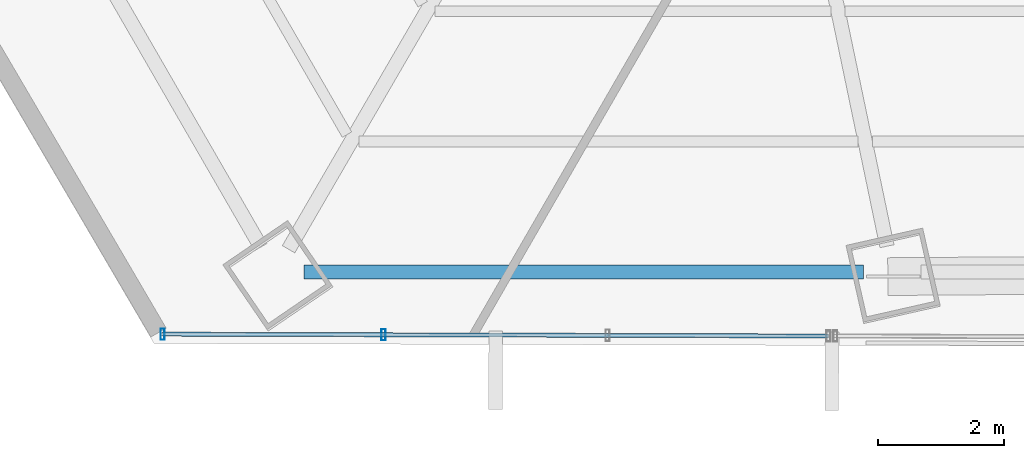
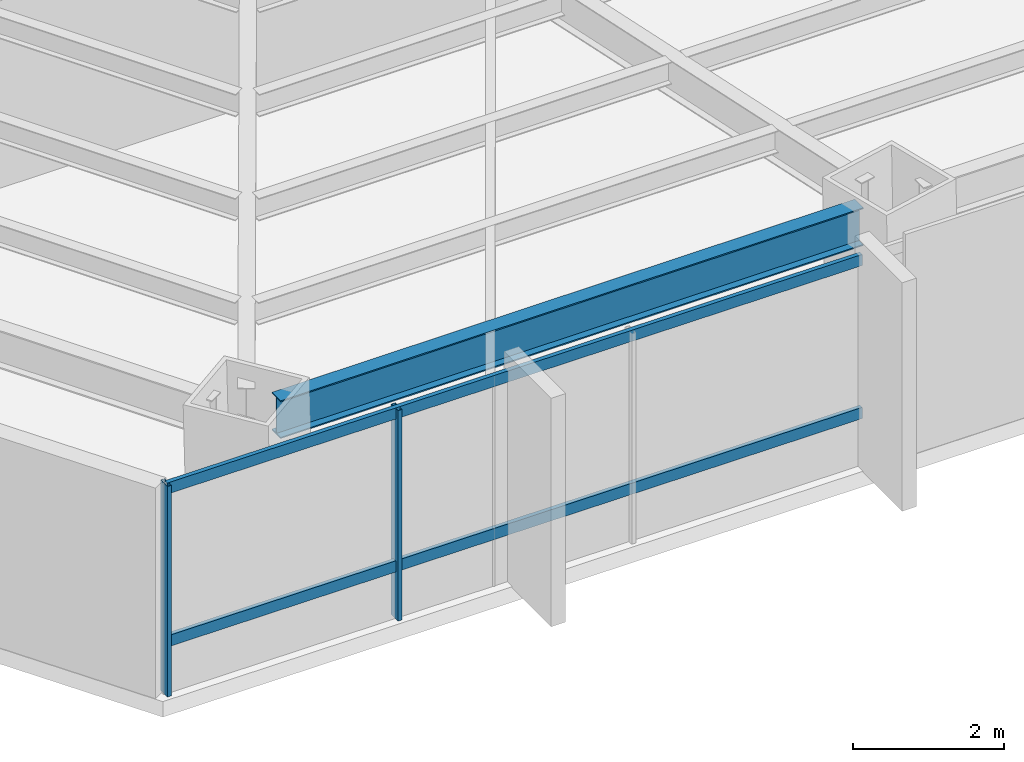
# One storey, part 3 of 29: 4 members, 1 beam, 1 element without a shape of its own.
"""IFC4 building model written with IfcOpenShell, lengths in metres."""

from ifc_helpers import new_model, si_unit, direction, frame, origin, origin_2d, place, context, subcontext, project, spatial, hollow_rectangle, i_section, extrude, source, transform, mapped, material, material_profile, profile_set, type_object, type_shapes, element, aggregate, save


model = new_model("IFC4")

# Units and contexts
model_context = context("Model", 3, precision=1e-05, world=origin(), true_north=direction((0.0, 1.0)))
body_context = subcontext(model_context, "Body", "Model", "MODEL_VIEW")
ifc_project = project(units=[si_unit("LENGTHUNIT", "METRE"), si_unit("AREAUNIT", "SQUARE_METRE"), si_unit("VOLUMEUNIT", "CUBIC_METRE"), si_unit("PLANEANGLEUNIT", "RADIAN"), si_unit("MASSUNIT", "GRAM", prefix="KILO")], contexts=[model_context])

# Site, building, storey
site_placement = place(None, origin())
site = spatial("IfcSite", under=ifc_project, at=site_placement, CompositionType="ELEMENT")
building_placement = place(site_placement, origin())
building = spatial("IfcBuilding", under=site, at=building_placement, Name="Caelisora Broadcast Tower", CompositionType="ELEMENT")
storey_placement = place(building_placement, frame((0.0, 0.0, 31.25)))
storey = spatial("IfcBuildingStorey", under=building, at=storey_placement, Name="L07", CompositionType="ELEMENT", Elevation=31.25)

# Beam
ifc_material_1 = material(Name="Steel Grade 350 (AS/NZS 3679.1)", Category="steel")
ifc_material_profile_1 = material_profile(ifc_material_1, i_section(OverallWidth=0.22900390625, OverallDepth=0.611572265625, WebThickness=0.011962890625, FlangeThickness=0.01953125, at=origin_2d()), Name="Steel Grade 350 (AS/NZS 3679.1)")
ifc_profile_set_1 = profile_set([ifc_material_profile_1], Name="Steel Grade 350 (AS/NZS 3679.1)")
beam_type = type_object("IfcBeamType", Name="PG03", PredefinedType="BEAM", material=ifc_profile_set_1)
shared_shape_1 = source(origin(), body_context, "Body", "SweptSolid", [
    extrude(i_section(OverallWidth=0.22900390625, OverallDepth=0.611572265625, WebThickness=0.011962890625, FlangeThickness=0.01953125, at=origin_2d()), origin(), (0.0, 0.0, 1.0), 8.900634765625),
])
type_shapes(beam_type, [shared_shape_1])
beam_placement = place(storey_placement, frame((23.729248046875, 4.944580078125, 3.09423828125), z_axis=(1.0, 0.0, 0.0), x_axis=(0.0, 1.0, 0.0)))
element("IfcBeam", 1, at=beam_placement, inside=storey, type_object=beam_type, Name="L07 beam PG03", PredefinedType="BEAM", context=body_context, shape_type="MappedRepresentation", body=[
    mapped(shared_shape_1, transform((0.0, 0.0, 0.0), scale=1.0)),
])

# Curtain wall, members
ifc_material_2 = material(Name="Unitised Aluminium and Low-E Glass Curtain Wall", Category="glass")
curtain_wall_type = type_object("IfcCurtainWallType", Name="CW-Z1", PredefinedType="NOTDEFINED", material=ifc_material_2)
curtain_wall_placement = place(storey_placement, origin())
curtain_wall = element("IfcCurtainWall", 2, at=curtain_wall_placement, inside=storey, type_object=curtain_wall_type, Name="L07 curtain wall CW-Z1", PredefinedType="NOTDEFINED")
ifc_material_3 = material(Name="Aluminium 6063-T6 Anodised Terracotta Bronze", Category="aluminium")
ifc_material_profile_2 = material_profile(ifc_material_3, hollow_rectangle(XDim=0.06494140625, YDim=0.179931640625, WallThickness=0.00341796875, at=origin_2d()), Name="Aluminium 6063-T6 Anodised Terracotta Bronze")
ifc_profile_set_2 = profile_set([ifc_material_profile_2], Name="Aluminium 6063-T6 Anodised Terracotta Bronze")
member_type_1 = type_object("IfcMemberType", Name="CWM-02", PredefinedType="MULLION", material=ifc_profile_set_2)
shared_shape_2 = source(origin(), body_context, "Body", "SweptSolid", [
    extrude(hollow_rectangle(XDim=0.06494140625, YDim=0.179931640625, WallThickness=0.00341796875, at=origin_2d()), origin(), (0.0, 0.0, 1.0), 3.39990234375),
])
type_shapes(member_type_1, [shared_shape_2])
member_1_placement = place(storey_placement, frame((24.9912109375, 3.9462890625, 0.0), z_axis=(0.0, 0.0, 1.0), x_axis=(1.0, 0.0, 0.0)))
member_1 = element("IfcMember", 3, at=member_1_placement, type_object=member_type_1, Name="L07-CW-B07 mullion #2", PredefinedType="MULLION", context=body_context, shape_type="MappedRepresentation", body=[
    mapped(shared_shape_2, transform((0.0, 0.0, 0.0), scale=1.0)),
])
member_2_placement = place(storey_placement, frame((21.47509765625, 3.955810546875, 0.0), z_axis=(0.0, 0.0, 1.0), x_axis=(1.0, 0.0, 0.0)))
member_2 = element("IfcMember", 4, at=member_2_placement, type_object=member_type_1, Name="L07-CW-B07 mullion #3", PredefinedType="MULLION", context=body_context, shape_type="MappedRepresentation", body=[
    mapped(shared_shape_2, transform((0.0, 0.0, 0.0), scale=1.0)),
])
ifc_material_profile_3 = material_profile(ifc_material_3, hollow_rectangle(XDim=0.06494140625, YDim=0.179931640625, WallThickness=0.00341796875, at=origin_2d()), Name="Aluminium 6063-T6 Anodised Terracotta Bronze")
ifc_profile_set_3 = profile_set([ifc_material_profile_3], Name="Aluminium 6063-T6 Anodised Terracotta Bronze")
member_type_2 = type_object("IfcMemberType", Name="CWT-01", PredefinedType="USERDEFINED", material=ifc_profile_set_3)
shared_shape_3 = source(origin(), body_context, "Body", "SweptSolid", [
    extrude(hollow_rectangle(XDim=0.06494140625, YDim=0.179931640625, WallThickness=0.00341796875, at=origin_2d()), origin(), (0.0, 0.0, 1.0), 10.598388671875),
])
type_shapes(member_type_2, [shared_shape_3])
member_3_placement = place(storey_placement, frame((32.073486328125, 3.9267578125, 0.85009765625), z_axis=(-0.999996242821, 0.0027412304, 0.0), x_axis=(-0.0027412304, -0.999996242821, 0.0)))
member_3 = element("IfcMember", 5, at=member_3_placement, type_object=member_type_2, Name="L07-CW-B07 transom #1", ObjectType="TRANSOM", PredefinedType="USERDEFINED", context=body_context, shape_type="MappedRepresentation", body=[
    mapped(shared_shape_3, transform((0.0, 0.0, 0.0), scale=1.0)),
])
member_4_placement = place(storey_placement, frame((32.073486328125, 3.9267578125, 3.320068359375), z_axis=(-0.999996242821, 0.0027412304, 0.0), x_axis=(-0.0027412304, -0.999996242821, 0.0)))
member_4 = element("IfcMember", 6, at=member_4_placement, type_object=member_type_2, Name="L07-CW-B07 transom #2", ObjectType="TRANSOM", PredefinedType="USERDEFINED", context=body_context, shape_type="MappedRepresentation", body=[
    mapped(shared_shape_3, transform((0.0, 0.0, 0.0), scale=1.0)),
])
aggregate(curtain_wall, [member_1, member_2, member_3, member_4])

save(model, "model.ifc")
